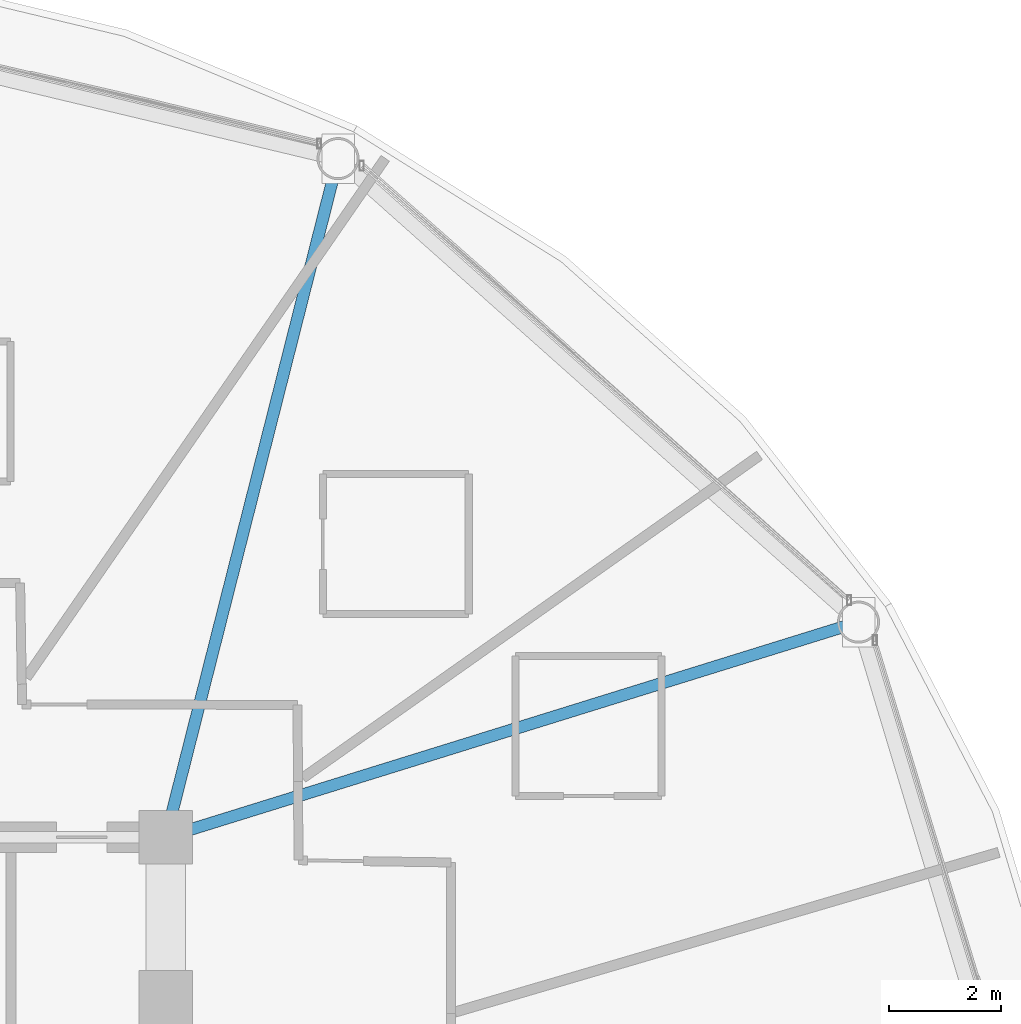
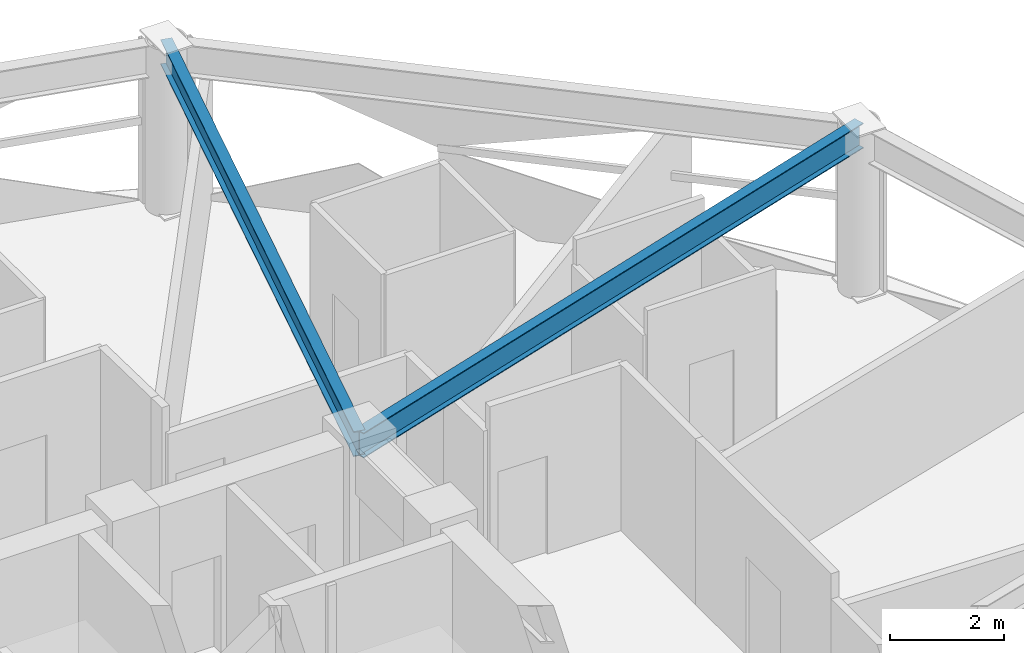
# One storey, part 19 of 31: 2 beams.
"""IFC4 building model written with IfcOpenShell, lengths in metres."""

from ifc_helpers import new_model, si_unit, direction, frame, origin, origin_2d, place, context, subcontext, project, spatial, i_section, extrude, material, material_profile, profile_set, type_object, element, save


model = new_model("IFC4")

# Units and contexts
model_context = context("Model", 3, precision=1e-05, world=origin(), true_north=direction((0.0, 1.0)))
body_context = subcontext(model_context, "Body", "Model", "MODEL_VIEW")
ifc_project = project(units=[si_unit("LENGTHUNIT", "METRE"), si_unit("AREAUNIT", "SQUARE_METRE"), si_unit("VOLUMEUNIT", "CUBIC_METRE"), si_unit("PLANEANGLEUNIT", "RADIAN"), si_unit("MASSUNIT", "GRAM", prefix="KILO")], contexts=[model_context])

# Site, building, storey
site_placement = place(None, origin())
site = spatial("IfcSite", under=ifc_project, at=site_placement, CompositionType="ELEMENT")
building_placement = place(site_placement, origin())
building = spatial("IfcBuilding", under=site, at=building_placement, Name="Vantalir Tower", CompositionType="ELEMENT")
storey_placement = place(building_placement, frame((0.0, 0.0, 115.949951171875)))
storey = spatial("IfcBuildingStorey", under=building, at=storey_placement, Name="L28", CompositionType="ELEMENT", Elevation=115.949951171875)

# Beams
ifc_material = material(Name="Steel S355", Category="steel")
ifc_material_profile = material_profile(ifc_material, i_section(OverallWidth=0.2109375, OverallDepth=0.5390625, WebThickness=0.01171875, FlangeThickness=0.018798828125, at=origin_2d()), Name="Steel S355")
ifc_profile_set = profile_set([ifc_material_profile], Name="Steel S355")
beam_type = type_object("IfcBeamType", Name="BM-RB-533x210", PredefinedType="BEAM", material=ifc_profile_set)
beam_1_placement = place(storey_placement, frame((53.445068359375, 36.282958984375, 3.300048828125), z_axis=(-0.955024490014, -0.296526935493, 0.0), x_axis=(0.296526935493, -0.955024490014, 0.0)))
element("IfcBeam", 1, at=beam_1_placement, inside=storey, type_object=beam_type, Name="L28 Radial Floor Beam 02", PredefinedType="BEAM", context=body_context, shape_type="SweptSolid", body=[
    extrude(i_section(OverallWidth=0.2109375, OverallDepth=0.5390625, WebThickness=0.01171875, FlangeThickness=0.018798828125, at=origin_2d()), origin(), (0.0, 0.0, 1.0), 12.92626953125),
])
beam_2_placement = place(storey_placement, frame((44.169921875, 44.54296875, 3.300048828125), z_axis=(-0.246047052435, -0.969257885182, 0.0), x_axis=(0.969257885182, -0.246047052435, 0.0)))
element("IfcBeam", 2, at=beam_2_placement, inside=storey, type_object=beam_type, Name="L28 Radial Floor Beam 03", PredefinedType="BEAM", context=body_context, shape_type="SweptSolid", body=[
    extrude(i_section(OverallWidth=0.2109375, OverallDepth=0.5390625, WebThickness=0.01171875, FlangeThickness=0.018798828125, at=origin_2d()), origin(), (0.0, 0.0, 1.0), 12.4765625),
])

save(model, "model.ifc")
